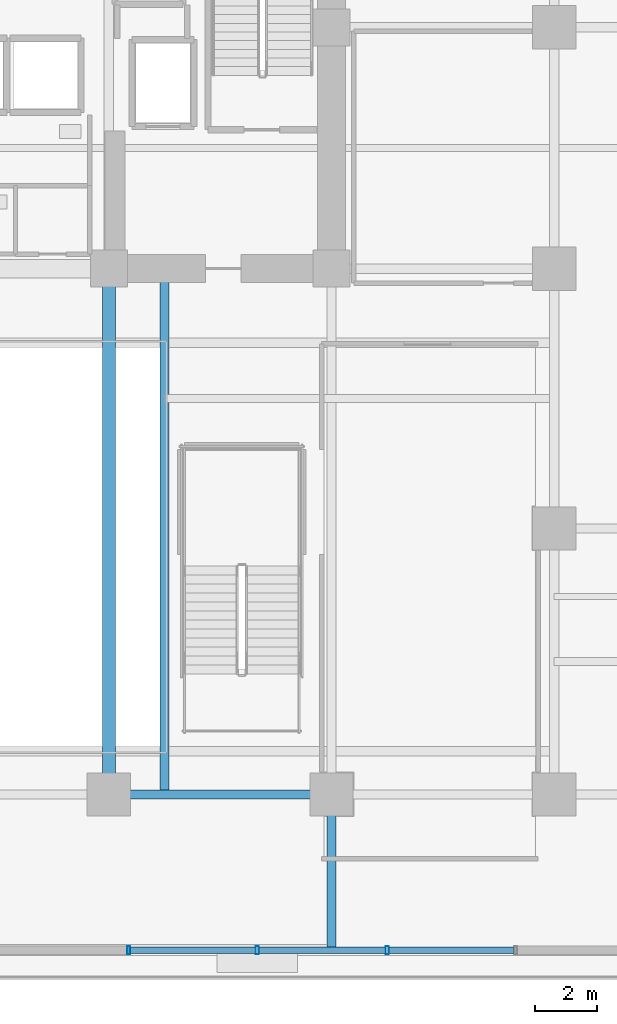
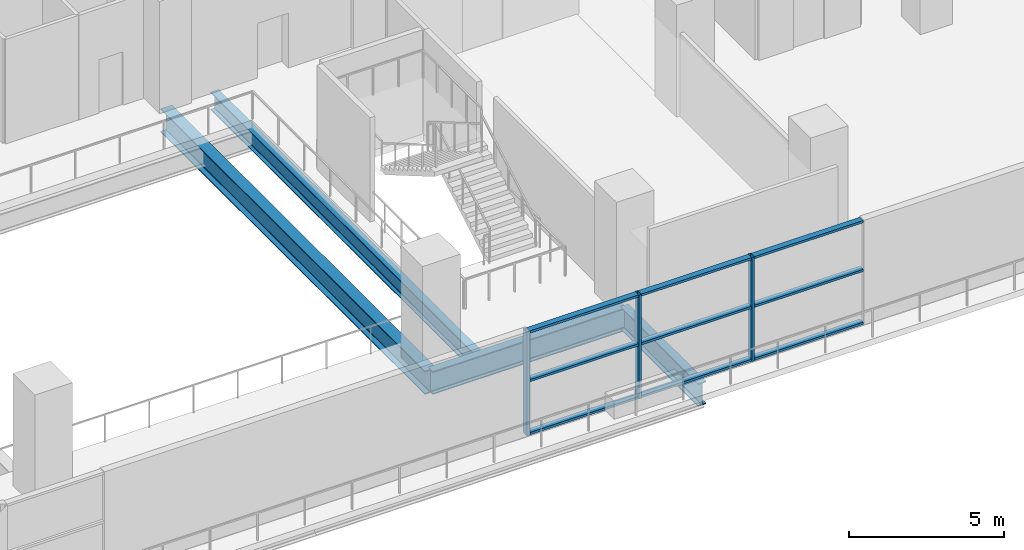
# One storey, part 4 of 23: 12 members, 4 beams, 1 element without a shape of its own.
"""IFC4 building model written with IfcOpenShell, lengths in metres."""

from ifc_helpers import new_model, si_unit, direction, frame, origin, origin_2d, place, context, subcontext, project, spatial, hollow_rectangle, i_section, extrude, source, transform, mapped, material, layer, layer_set, material_profile, profile_set, type_object, element, aggregate, save


model = new_model("IFC4")

# Units and contexts
model_context = context("Model", 3, precision=1e-05, world=origin(), true_north=direction((0.0, 1.0)))
body_context = subcontext(model_context, "Body", "Model", "MODEL_VIEW")
ifc_project = project(units=[si_unit("LENGTHUNIT", "METRE"), si_unit("AREAUNIT", "SQUARE_METRE"), si_unit("VOLUMEUNIT", "CUBIC_METRE"), si_unit("PLANEANGLEUNIT", "RADIAN"), si_unit("MASSUNIT", "GRAM", prefix="KILO")], contexts=[model_context])

# Site, building, storey
site_placement = place(None, origin())
site = spatial("IfcSite", under=ifc_project, at=site_placement, CompositionType="ELEMENT")
building_placement = place(site_placement, origin())
building = spatial("IfcBuilding", under=site, at=building_placement, Name="Zarnakvel Exchange Tower", CompositionType="ELEMENT")
storey_placement = place(building_placement, frame((0.0, 0.0, 13.800048828125)))
storey = spatial("IfcBuildingStorey", under=building, at=storey_placement, Name="L03", CompositionType="ELEMENT", Elevation=13.800048828125)

# Beams
ifc_material_1 = material(Name="Steel S355", Category="steel")
ifc_material_profile_1 = material_profile(ifc_material_1, i_section(OverallWidth=0.300048828125, OverallDepth=0.89990234375, WebThickness=0.0185546875, FlangeThickness=0.034912109375, FilletRadius=0.030029296875, at=origin_2d()))
ifc_profile_set_1 = profile_set([ifc_material_profile_1], Name="Steel S355")
beam_type_1 = type_object("IfcBeamType", Name="G-01", PredefinedType="BEAM", material=ifc_profile_set_1)
beam_1_placement = place(storey_placement, frame((7.199951171875, -18.199951171875, -0.75), z_axis=(1.0, 0.0, 0.0), x_axis=(0.0, 1.0, 0.0)))
element("IfcBeam", 1, at=beam_1_placement, inside=storey, type_object=beam_type_1, Name="L03 Primary E-W Girder Y=-18.2", PredefinedType="BEAM", context=body_context, shape_type="SweptSolid", body=[
    extrude(i_section(OverallWidth=0.300048828125, OverallDepth=0.89990234375, WebThickness=0.0185546875, FlangeThickness=0.034912109375, FilletRadius=0.030029296875, at=origin_2d()), origin(), (0.0, 0.0, 1.0), 7.199951171875),
])
beam_2_placement = place(storey_placement, frame((14.39990234375, -23.199951171875, -0.75), z_axis=(0.0, 1.0, 0.0), x_axis=(-1.0, 0.0, 0.0)))
element("IfcBeam", 2, at=beam_2_placement, inside=storey, type_object=beam_type_1, Name="L03 Primary N-S Girder X=+14.4", PredefinedType="BEAM", context=body_context, shape_type="SweptSolid", body=[
    extrude(i_section(OverallWidth=0.300048828125, OverallDepth=0.89990234375, WebThickness=0.0185546875, FlangeThickness=0.034912109375, FilletRadius=0.030029296875, at=origin_2d()), origin(), (0.0, 0.0, 1.0), 5.0),
])
ifc_material_profile_2 = material_profile(ifc_material_1, i_section(OverallWidth=0.300048828125, OverallDepth=0.699951171875, WebThickness=0.01708984375, FlangeThickness=0.031982421875, FilletRadius=0.027099609375, at=origin_2d()))
ifc_profile_set_2 = profile_set([ifc_material_profile_2], Name="Steel S355")
beam_type_2 = type_object("IfcBeamType", Name="G-03", PredefinedType="BEAM", material=ifc_profile_set_2)
beam_3_placement = place(storey_placement, frame((9.0, -18.199951171875, -0.650146484375), z_axis=(0.0, 1.0, 0.0), x_axis=(-1.0, 0.0, 0.0)))
element("IfcBeam", 3, at=beam_3_placement, inside=storey, type_object=beam_type_2, Name="L03 Atrium East Edge Girder", PredefinedType="BEAM", context=body_context, shape_type="SweptSolid", body=[
    extrude(i_section(OverallWidth=0.300048828125, OverallDepth=0.699951171875, WebThickness=0.01708984375, FlangeThickness=0.031982421875, FilletRadius=0.027099609375, at=origin_2d()), origin(), (0.0, 0.0, 1.0), 17.0),
])
ifc_material_profile_3 = material_profile(ifc_material_1, i_section(OverallWidth=0.42041015625, OverallDepth=0.9208984375, WebThickness=0.021484375, FlangeThickness=0.03662109375, FilletRadius=0.024169921875, at=origin_2d()))
ifc_profile_set_3 = profile_set([ifc_material_profile_3], Name="Steel S355")
beam_type_3 = type_object("IfcBeamType", Name="TB-01", PredefinedType="T_BEAM", material=ifc_profile_set_3)
beam_4_placement = place(storey_placement, frame((7.199951171875, -18.199951171875, -0.760498046875), z_axis=(0.0, 1.0, 0.0), x_axis=(-1.0, 0.0, 0.0)))
element("IfcBeam", 4, at=beam_4_placement, inside=storey, type_object=beam_type_3, Name="L03 Primary N-S Girder X=+7.2", PredefinedType="T_BEAM", context=body_context, shape_type="SweptSolid", body=[
    extrude(i_section(OverallWidth=0.42041015625, OverallDepth=0.9208984375, WebThickness=0.021484375, FlangeThickness=0.03662109375, FilletRadius=0.024169921875, at=origin_2d()), origin(), (0.0, 0.0, 1.0), 17.0),
])

# Curtain wall, members
ifc_material_2 = material(Name="Architectural Bronze Anodised Aluminium", Category="aluminium")
ifc_layer = layer(ifc_material_2, 0.260009765625)
ifc_layer_set = layer_set([ifc_layer], Name="Architectural Bronze Anodised Aluminium")
curtain_wall_type = type_object("IfcCurtainWallType", Name="CW-01", PredefinedType="NOTDEFINED", material=ifc_layer_set)
curtain_wall_placement = place(storey_placement, origin())
curtain_wall = element("IfcCurtainWall", 5, at=curtain_wall_placement, inside=storey, type_object=curtain_wall_type, Name="L03 Curtain Wall CW-L03-S2 (CW-01)", PredefinedType="NOTDEFINED")
ifc_material_profile_4 = material_profile(ifc_material_2, hollow_rectangle(XDim=0.219970703125, YDim=0.090087890625, WallThickness=0.0048828125, at=origin_2d()))
ifc_profile_set_4 = profile_set([ifc_material_profile_4], Name="Architectural Bronze Anodised Aluminium")
member_type_1 = type_object("IfcMemberType", Name="CWT-01", PredefinedType="USERDEFINED", material=ifc_profile_set_4)
shared_shape_1 = source(origin(), body_context, "Body", "SweptSolid", [
    extrude(hollow_rectangle(XDim=0.219970703125, YDim=0.090087890625, WallThickness=0.0048828125, at=origin_2d()), origin(), (0.0, 0.0, 1.0), 4.050048828125),
])
member_1_placement = place(storey_placement, frame((7.89990234375, -23.239990234375, 0.044921875), z_axis=(1.0, 0.0, 0.0), x_axis=(0.0, 1.0, 0.0)))
member_1 = element("IfcMember", 6, at=member_1_placement, type_object=member_type_1, Name="CW-01 transom 1.1", ObjectType="TRANSOM", PredefinedType="USERDEFINED", context=body_context, shape_type="MappedRepresentation", body=[
    mapped(shared_shape_1, transform((0.0, 0.0, 0.0), x_axis=(1.0, 0.0, 0.0), y_axis=(0.0, 1.0, 0.0), z_axis=(0.0, 0.0, 1.0), scale=1.0)),
])
member_2_placement = place(storey_placement, frame((7.89990234375, -23.239990234375, 2.12158203125), z_axis=(1.0, 0.0, 0.0), x_axis=(0.0, 1.0, 0.0)))
member_2 = element("IfcMember", 7, at=member_2_placement, type_object=member_type_1, Name="CW-01 transom 1.2", ObjectType="TRANSOM", PredefinedType="USERDEFINED", context=body_context, shape_type="MappedRepresentation", body=[
    mapped(shared_shape_1, transform((0.0, 0.0, 0.0), x_axis=(1.0, 0.0, 0.0), y_axis=(0.0, 1.0, 0.0), z_axis=(0.0, 0.0, 1.0), scale=1.0)),
])
member_3_placement = place(storey_placement, frame((7.89990234375, -23.239990234375, 4.034912109375), z_axis=(1.0, 0.0, 0.0), x_axis=(0.0, 1.0, 0.0)))
member_3 = element("IfcMember", 8, at=member_3_placement, type_object=member_type_1, Name="CW-01 transom 1.3", ObjectType="TRANSOM", PredefinedType="USERDEFINED", context=body_context, shape_type="MappedRepresentation", body=[
    mapped(shared_shape_1, transform((0.0, 0.0, 0.0), x_axis=(1.0, 0.0, 0.0), y_axis=(0.0, 1.0, 0.0), z_axis=(0.0, 0.0, 1.0), scale=1.0)),
])
member_4_placement = place(storey_placement, frame((16.25, -23.239990234375, 0.044921875), z_axis=(1.0, 0.0, 0.0), x_axis=(0.0, 1.0, 0.0)))
member_4 = element("IfcMember", 9, at=member_4_placement, type_object=member_type_1, Name="CW-01 transom 3.1", ObjectType="TRANSOM", PredefinedType="USERDEFINED", context=body_context, shape_type="MappedRepresentation", body=[
    mapped(shared_shape_1, transform((0.0, 0.0, 0.0), x_axis=(1.0, 0.0, 0.0), y_axis=(0.0, 1.0, 0.0), z_axis=(0.0, 0.0, 1.0), scale=1.0)),
])
member_5_placement = place(storey_placement, frame((16.25, -23.239990234375, 2.12158203125), z_axis=(1.0, 0.0, 0.0), x_axis=(0.0, 1.0, 0.0)))
member_5 = element("IfcMember", 10, at=member_5_placement, type_object=member_type_1, Name="CW-01 transom 3.2", ObjectType="TRANSOM", PredefinedType="USERDEFINED", context=body_context, shape_type="MappedRepresentation", body=[
    mapped(shared_shape_1, transform((0.0, 0.0, 0.0), x_axis=(1.0, 0.0, 0.0), y_axis=(0.0, 1.0, 0.0), z_axis=(0.0, 0.0, 1.0), scale=1.0)),
])
member_6_placement = place(storey_placement, frame((16.25, -23.239990234375, 4.034912109375), z_axis=(1.0, 0.0, 0.0), x_axis=(0.0, 1.0, 0.0)))
member_6 = element("IfcMember", 11, at=member_6_placement, type_object=member_type_1, Name="CW-01 transom 3.3", ObjectType="TRANSOM", PredefinedType="USERDEFINED", context=body_context, shape_type="MappedRepresentation", body=[
    mapped(shared_shape_1, transform((0.0, 0.0, 0.0), x_axis=(1.0, 0.0, 0.0), y_axis=(0.0, 1.0, 0.0), z_axis=(0.0, 0.0, 1.0), scale=1.0)),
])
shared_shape_2 = source(origin(), body_context, "Body", "SweptSolid", [
    extrude(hollow_rectangle(XDim=0.219970703125, YDim=0.090087890625, WallThickness=0.0048828125, at=origin_2d()), origin(), (0.0, 0.0, 1.0), 4.099853515625),
])
member_7_placement = place(storey_placement, frame((12.050048828125, -23.239990234375, 0.044921875), z_axis=(1.0, 0.0, 0.0), x_axis=(0.0, 1.0, 0.0)))
member_7 = element("IfcMember", 12, at=member_7_placement, type_object=member_type_1, Name="CW-01 transom 2.1", ObjectType="TRANSOM", PredefinedType="USERDEFINED", context=body_context, shape_type="MappedRepresentation", body=[
    mapped(shared_shape_2, transform((0.0, 0.0, 0.0), x_axis=(1.0, 0.0, 0.0), y_axis=(0.0, 1.0, 0.0), z_axis=(0.0, 0.0, 1.0), scale=1.0)),
])
member_8_placement = place(storey_placement, frame((12.050048828125, -23.239990234375, 2.12158203125), z_axis=(1.0, 0.0, 0.0), x_axis=(0.0, 1.0, 0.0)))
member_8 = element("IfcMember", 13, at=member_8_placement, type_object=member_type_1, Name="CW-01 transom 2.2", ObjectType="TRANSOM", PredefinedType="USERDEFINED", context=body_context, shape_type="MappedRepresentation", body=[
    mapped(shared_shape_2, transform((0.0, 0.0, 0.0), x_axis=(1.0, 0.0, 0.0), y_axis=(0.0, 1.0, 0.0), z_axis=(0.0, 0.0, 1.0), scale=1.0)),
])
member_9_placement = place(storey_placement, frame((12.050048828125, -23.239990234375, 4.034912109375), z_axis=(1.0, 0.0, 0.0), x_axis=(0.0, 1.0, 0.0)))
member_9 = element("IfcMember", 14, at=member_9_placement, type_object=member_type_1, Name="CW-01 transom 2.3", ObjectType="TRANSOM", PredefinedType="USERDEFINED", context=body_context, shape_type="MappedRepresentation", body=[
    mapped(shared_shape_2, transform((0.0, 0.0, 0.0), x_axis=(1.0, 0.0, 0.0), y_axis=(0.0, 1.0, 0.0), z_axis=(0.0, 0.0, 1.0), scale=1.0)),
])
ifc_material_profile_5 = material_profile(ifc_material_2, hollow_rectangle(XDim=0.260009765625, YDim=0.10009765625, WallThickness=0.006103515625, at=origin_2d()))
ifc_profile_set_5 = profile_set([ifc_material_profile_5], Name="Architectural Bronze Anodised Aluminium")
member_type_2 = type_object("IfcMemberType", Name="CWM-01", PredefinedType="MULLION", material=ifc_profile_set_5)
shared_shape_3 = source(origin(), body_context, "Body", "SweptSolid", [
    extrude(hollow_rectangle(XDim=0.260009765625, YDim=0.10009765625, WallThickness=0.006103515625, at=origin_2d()), origin(), (0.0, 0.0, 1.0), 4.079833984375),
])
member_10_placement = place(storey_placement, frame((7.85009765625, -23.239990234375, 0.0), z_axis=(0.0, 0.0, 1.0), x_axis=(0.0, 1.0, 0.0)))
member_10 = element("IfcMember", 15, at=member_10_placement, type_object=member_type_2, Name="CW-01 mullion 1", PredefinedType="MULLION", context=body_context, shape_type="MappedRepresentation", body=[
    mapped(shared_shape_3, transform((0.0, 0.0, 0.0), x_axis=(1.0, 0.0, 0.0), y_axis=(0.0, 1.0, 0.0), z_axis=(0.0, 0.0, 1.0), scale=1.0)),
])
member_11_placement = place(storey_placement, frame((12.0, -23.239990234375, 0.0), z_axis=(0.0, 0.0, 1.0), x_axis=(0.0, 1.0, 0.0)))
member_11 = element("IfcMember", 16, at=member_11_placement, type_object=member_type_2, Name="CW-01 mullion 2", PredefinedType="MULLION", context=body_context, shape_type="MappedRepresentation", body=[
    mapped(shared_shape_3, transform((0.0, 0.0, 0.0), x_axis=(1.0, 0.0, 0.0), y_axis=(0.0, 1.0, 0.0), z_axis=(0.0, 0.0, 1.0), scale=1.0)),
])
member_12_placement = place(storey_placement, frame((16.199951171875, -23.239990234375, 0.0), z_axis=(0.0, 0.0, 1.0), x_axis=(0.0, 1.0, 0.0)))
member_12 = element("IfcMember", 17, at=member_12_placement, type_object=member_type_2, Name="CW-01 mullion 3", PredefinedType="MULLION", context=body_context, shape_type="MappedRepresentation", body=[
    mapped(shared_shape_3, transform((0.0, 0.0, 0.0), x_axis=(1.0, 0.0, 0.0), y_axis=(0.0, 1.0, 0.0), z_axis=(0.0, 0.0, 1.0), scale=1.0)),
])
aggregate(curtain_wall, [member_10, member_11, member_12, member_1, member_2, member_3, member_7, member_8, member_9, member_4, member_5, member_6])

save(model, "model.ifc")
